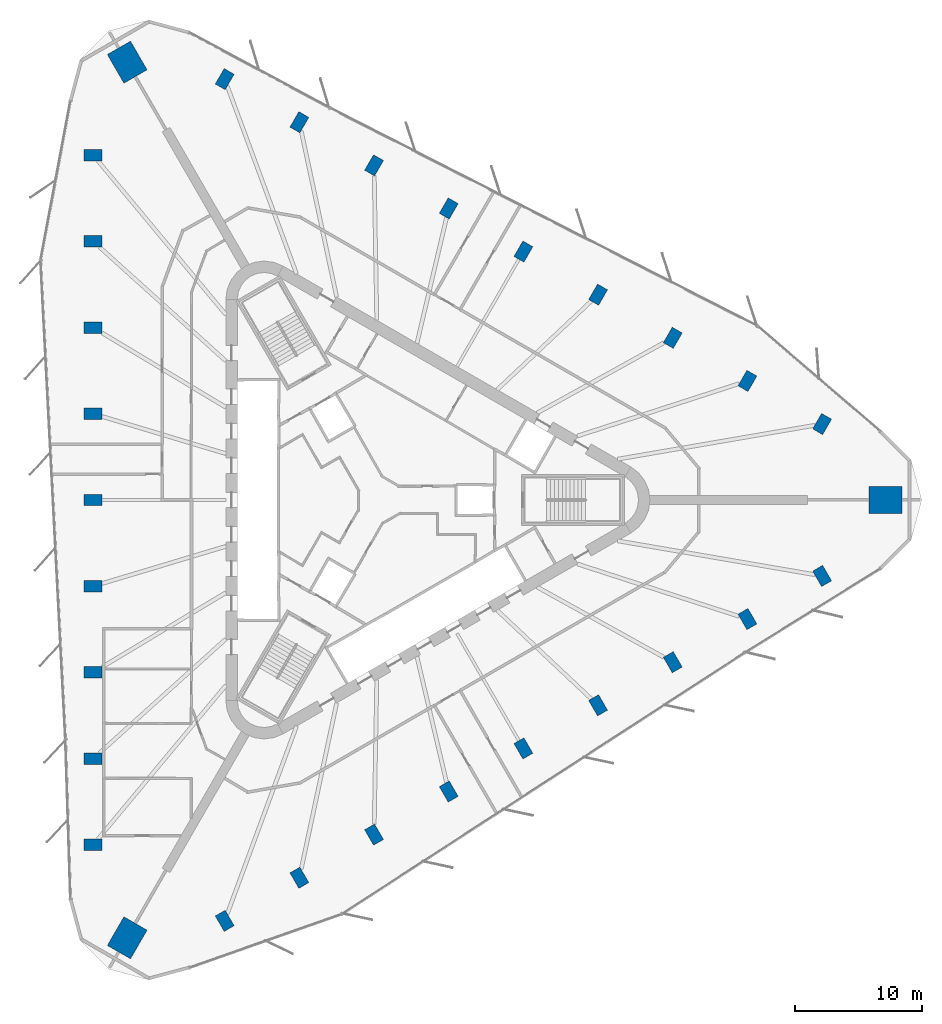
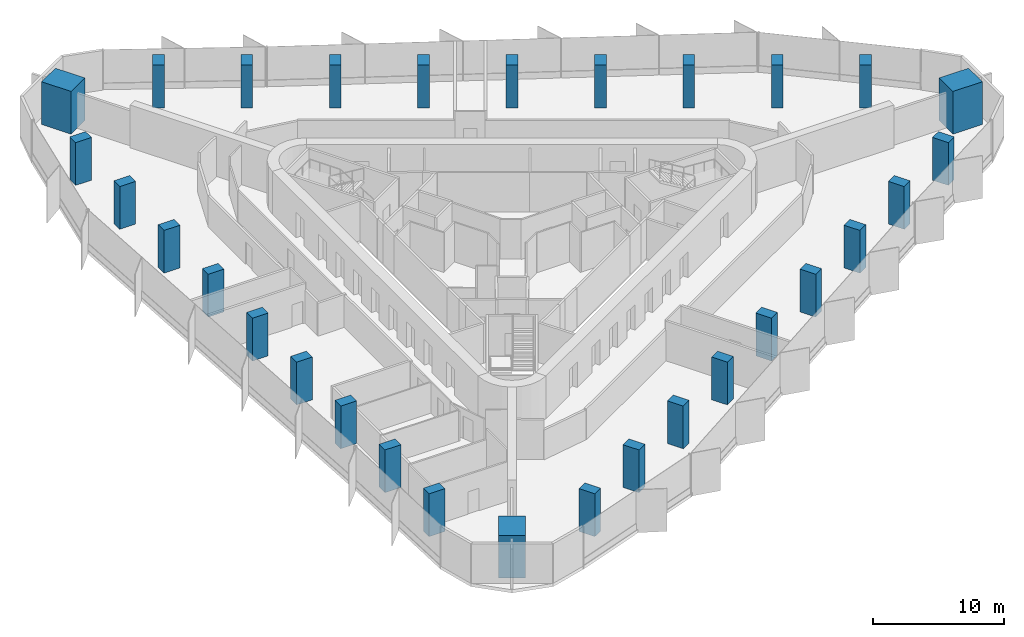
# One storey, part 1 of 13: 30 columns.
"""IFC4 building model written with IfcOpenShell, lengths in metres."""

from ifc_helpers import new_model, si_unit, direction, frame, origin, origin_2d, place, context, subcontext, project, spatial, rectangle, extrude, material, material_profile, profile_set, type_object, element, save


model = new_model("IFC4")

# Units and contexts
model_context = context("Model", 3, precision=1e-05, world=origin(), true_north=direction((0.0, 1.0)))
body_context = subcontext(model_context, "Body", "Model", "MODEL_VIEW")
ifc_project = project(units=[si_unit("LENGTHUNIT", "METRE"), si_unit("AREAUNIT", "SQUARE_METRE"), si_unit("VOLUMEUNIT", "CUBIC_METRE"), si_unit("PLANEANGLEUNIT", "RADIAN"), si_unit("MASSUNIT", "GRAM", prefix="KILO")], contexts=[model_context])

# Site, building, storey
site_placement = place(None, origin())
site = spatial("IfcSite", under=ifc_project, at=site_placement, CompositionType="ELEMENT")
building_placement = place(site_placement, origin())
building = spatial("IfcBuilding", under=site, at=building_placement, Name="Tanit Gate Tower", CompositionType="ELEMENT")
storey_placement = place(building_placement, frame((0.0, 0.0, 173.199951171875)))
storey = spatial("IfcBuildingStorey", under=building, at=storey_placement, Name="L37", CompositionType="ELEMENT", Elevation=173.199951171875)

# Columns
ifc_material_1 = material(Name="Concrete C60/75", Category="concrete")
ifc_material_profile_1 = material_profile(ifc_material_1, rectangle(XDim=2.60009765625, YDim=2.10009765625, at=origin_2d()), Name="RC 2600x2100")
ifc_profile_set_1 = profile_set([ifc_material_profile_1], Name="Concrete C60/75")
column_type_1 = type_object("IfcColumnType", Name="MEGA COLUMN 2600x2100 C60/75", PredefinedType="COLUMN", material=ifc_profile_set_1)
for number, where, z_axis, x_axis, name in (
    (1, (39.697998046875, 0.0, 0.0), (0.0, 0.0, 1.0), (1.0, 0.0, 0.0), "MEGA COLUMN"),
    (2, (-19.84912109375, 34.37939453125, 0.0), (0.0, 0.0, 1.0), (-0.5, 0.866025403784, 0.0), "MEGA COLUMN"),
    (3, (-19.84912109375, -34.37939453125, 0.0), (0.0, 0.0, 1.0), (-0.5, -0.866025403784, 0.0), "MEGA COLUMN"),
):
    element("IfcColumn", number, at=place(storey_placement, frame(where, z_axis=z_axis, x_axis=x_axis)), inside=storey, type_object=column_type_1, Name=name, PredefinedType="COLUMN", context=body_context, shape_type="SweptSolid", body=[
        extrude(rectangle(XDim=2.60009765625, YDim=2.10009765625, at=origin_2d()), origin(), (0.0, 0.0, 1.0), 4.0),
    ])
ifc_material_2 = material(Name="Concrete C50/60", Category="concrete")
ifc_material_profile_2 = material_profile(ifc_material_2, rectangle(XDim=1.39990234375, YDim=0.89990234375, at=origin_2d()), Name="RC 1400x900")
ifc_profile_set_2 = profile_set([ifc_material_profile_2], Name="Concrete C50/60")
column_type_2 = type_object("IfcColumnType", Name="PERIMETER COLUMN 1400x900 C50/60", PredefinedType="COLUMN", material=ifc_profile_set_2)
for number, where, z_axis, x_axis, name in (
    (4, (-22.523681640625, 27.083984375, 0.0), (0.0, 0.0, 1.0), (-1.0, 0.0, 0.0), "PERIMETER COLUMN"),
    (5, (-22.523681640625, 20.31298828125, 0.0), (0.0, 0.0, 1.0), (-1.0, 0.0, 0.0), "PERIMETER COLUMN"),
    (6, (-22.523681640625, 13.5419921875, 0.0), (0.0, 0.0, 1.0), (-1.0, 0.0, 0.0), "PERIMETER COLUMN"),
    (7, (-22.523681640625, 6.77099609375, 0.0), (0.0, 0.0, 1.0), (-1.0, 0.0, 0.0), "PERIMETER COLUMN"),
    (8, (-22.523681640625, 0.0, 0.0), (0.0, 0.0, 1.0), (-1.0, 0.0, 0.0), "PERIMETER COLUMN"),
    (9, (-22.523681640625, -6.77099609375, 0.0), (0.0, 0.0, 1.0), (-1.0, 0.0, 0.0), "PERIMETER COLUMN"),
    (10, (-22.523681640625, -13.5419921875, 0.0), (0.0, 0.0, 1.0), (-1.0, 0.0, 0.0), "PERIMETER COLUMN"),
    (11, (-22.523681640625, -20.31298828125, 0.0), (0.0, 0.0, 1.0), (-1.0, 0.0, 0.0), "PERIMETER COLUMN"),
    (12, (-22.523681640625, -27.083984375, 0.0), (0.0, 0.0, 1.0), (-1.0, 0.0, 0.0), "PERIMETER COLUMN"),
    (13, (34.71728515625, 5.964111328125, 0.0), (0.0, 0.0, 1.0), (0.5, 0.866025403784, 0.0), "PERIMETER COLUMN"),
    (14, (28.853271484375, 9.349609375, 0.0), (0.0, 0.0, 1.0), (0.5, 0.866025403784, 0.0), "PERIMETER COLUMN"),
    (15, (22.989501953125, 12.735107421875, 0.0), (0.0, 0.0, 1.0), (0.5, 0.866025403784, 0.0), "PERIMETER COLUMN"),
    (16, (17.12548828125, 16.12060546875, 0.0), (0.0, 0.0, 1.0), (0.5, 0.866025403784, 0.0), "PERIMETER COLUMN"),
    (17, (11.26171875, 19.506103515625, 0.0), (0.0, 0.0, 1.0), (0.5, 0.866025403784, 0.0), "PERIMETER COLUMN"),
    (18, (5.39794921875, 22.8916015625, 0.0), (0.0, 0.0, 1.0), (0.5, 0.866025403784, 0.0), "PERIMETER COLUMN"),
    (19, (-0.4658203125, 26.277099609375, 0.0), (0.0, 0.0, 1.0), (0.5, 0.866025403784, 0.0), "PERIMETER COLUMN"),
    (20, (-6.32958984375, 29.66259765625, 0.0), (0.0, 0.0, 1.0), (0.5, 0.866025403784, 0.0), "PERIMETER COLUMN"),
    (21, (-12.193603515625, 33.0478515625, 0.0), (0.0, 0.0, 1.0), (0.5, 0.866025403784, 0.0), "PERIMETER COLUMN"),
    (22, (-12.193603515625, -33.0478515625, 0.0), (0.0, 0.0, 1.0), (0.5, -0.866025403784, 0.0), "PERIMETER COLUMN"),
    (23, (-6.32958984375, -29.66259765625, 0.0), (0.0, 0.0, 1.0), (0.5, -0.866025403784, 0.0), "PERIMETER COLUMN"),
    (24, (-0.4658203125, -26.277099609375, 0.0), (0.0, 0.0, 1.0), (0.5, -0.866025403784, 0.0), "PERIMETER COLUMN"),
    (25, (5.39794921875, -22.8916015625, 0.0), (0.0, 0.0, 1.0), (0.5, -0.866025403784, 0.0), "PERIMETER COLUMN"),
    (26, (11.26171875, -19.506103515625, 0.0), (0.0, 0.0, 1.0), (0.5, -0.866025403784, 0.0), "PERIMETER COLUMN"),
    (27, (17.12548828125, -16.12060546875, 0.0), (0.0, 0.0, 1.0), (0.5, -0.866025403784, 0.0), "PERIMETER COLUMN"),
    (28, (22.989501953125, -12.735107421875, 0.0), (0.0, 0.0, 1.0), (0.5, -0.866025403784, 0.0), "PERIMETER COLUMN"),
    (29, (28.853271484375, -9.349609375, 0.0), (0.0, 0.0, 1.0), (0.5, -0.866025403784, 0.0), "PERIMETER COLUMN"),
    (30, (34.71728515625, -5.964111328125, 0.0), (0.0, 0.0, 1.0), (0.5, -0.866025403784, 0.0), "PERIMETER COLUMN"),
):
    element("IfcColumn", number, at=place(storey_placement, frame(where, z_axis=z_axis, x_axis=x_axis)), inside=storey, type_object=column_type_2, Name=name, PredefinedType="COLUMN", context=body_context, shape_type="SweptSolid", body=[
        extrude(rectangle(XDim=1.39990234375, YDim=0.89990234375, at=origin_2d()), origin(), (0.0, 0.0, 1.0), 4.0),
    ])

save(model, "model.ifc")
